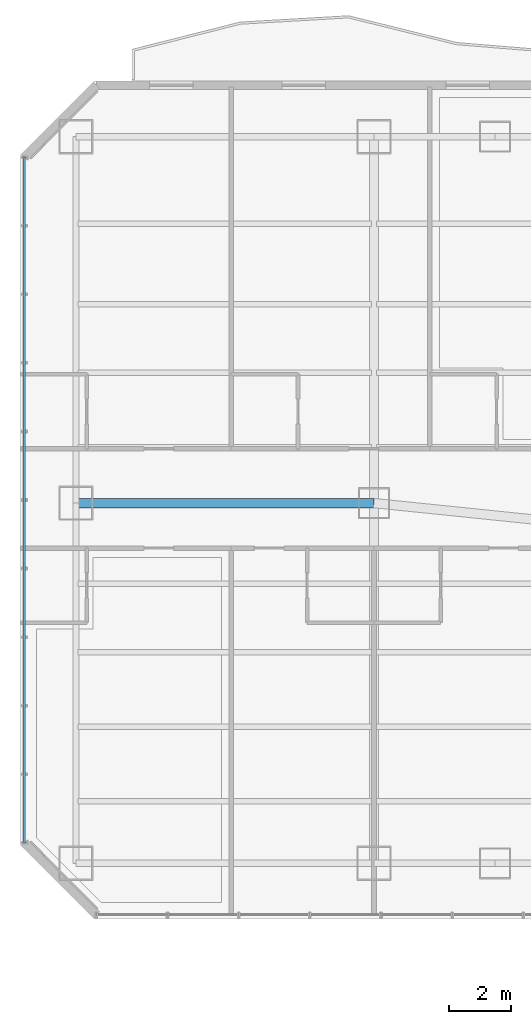
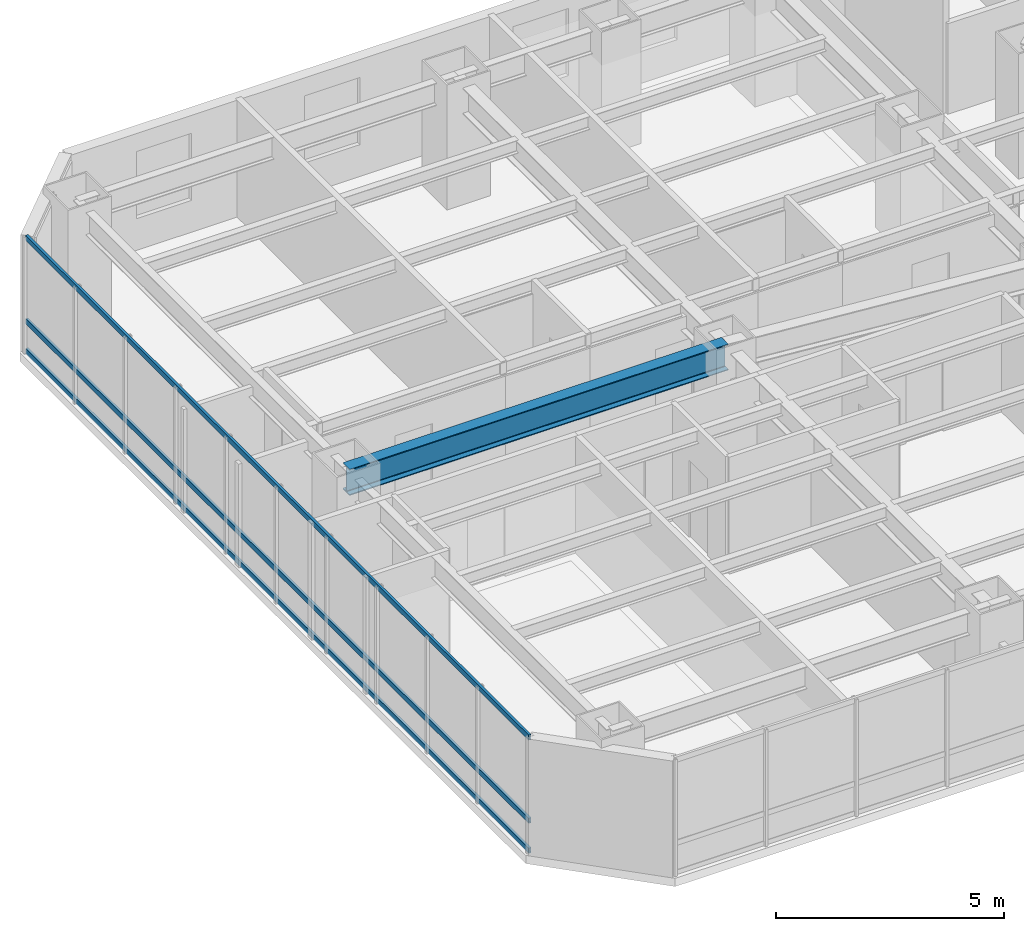
# One storey, part 19 of 38: 3 members, 1 beam, 1 element without a shape of its own.
"""IFC4 building model written with IfcOpenShell, lengths in metres."""

import ifcopenshell
import ifcopenshell.guid

model = None  # the IFC model being written
_history = None  # IfcOwnerHistory: only IFC2X3 demands one
_inside = {}  # id of a spatial element -> (the spatial element, [elements in it])
_under = {}  # id of a project, library or spatial element -> (it, [spatial elements below it])
_declared = {}  # id of a project -> (the project, [libraries it declares])
_typed = {}  # id of a type object -> (the type object, [elements of that type])
_made_of = {}  # id of a material, layer set ... -> (it, [elements and type objects made of it])


def new_model(schema):
    """Start an empty IFC model of exactly this schema.

    Asked for "IFC4X3", IfcOpenShell would pick the latest addendum, in which some entities
    have other attributes; the version numbers below select the first issue.
    IFC2X3 requires an IfcOwnerHistory on every rooted entity: one is made here for all.
    """
    global model, _history
    if schema == "IFC4X3":
        model = ifcopenshell.file(schema_version=(4, 3, 0, 0))
    else:
        model = ifcopenshell.file(schema=schema)
    _inside.clear()
    _under.clear()
    _declared.clear()
    _typed.clear()
    _made_of.clear()
    _history = None
    if model.schema == "IFC2X3":
        org = make("IfcOrganization", Name="unknown")
        user = make(
            "IfcPersonAndOrganization",
            ThePerson=make("IfcPerson", FamilyName="unknown"),
            TheOrganization=org,
        )
        app = make(
            "IfcApplication",
            ApplicationDeveloper=org,
            Version="unknown",
            ApplicationFullName="unknown",
            ApplicationIdentifier="unknown",
        )
        _history = make(
            "IfcOwnerHistory",
            OwningUser=user,
            OwningApplication=app,
            ChangeAction="ADDED",
            CreationDate=0,
        )
    return model


def make(cls, **values):
    """One entity of the class cls with the attributes given. An attribute that is None is left unset."""
    return model.create_entity(
        cls, **{name: value for name, value in values.items() if value is not None}
    )


def rooted(cls, **values):
    """An entity with a GlobalId (a new one), such as an element, a storey or a relation."""
    return make(cls, GlobalId=ifcopenshell.guid.new(), OwnerHistory=_history, **values)


def si_unit(unit_type, name, prefix=None):
    """IfcSIUnit, for example si_unit("LENGTHUNIT", "METRE", prefix="MILLI")."""
    return make("IfcSIUnit", UnitType=unit_type, Prefix=prefix, Name=name)


def assignment(units):
    """IfcUnitAssignment: the units of a project."""
    return None if units is None else make("IfcUnitAssignment", Units=units)


def point(xyz):
    """IfcCartesianPoint."""
    return None if xyz is None else make("IfcCartesianPoint", Coordinates=xyz)


def direction(xyz):
    """IfcDirection."""
    return None if xyz is None else make("IfcDirection", DirectionRatios=xyz)


def frame(location, z_axis=None, x_axis=None):
    """IfcAxis2Placement3D, a coordinate frame: its origin and axes. An axis left out is left unset."""
    return make(
        "IfcAxis2Placement3D",
        Location=point(location),
        Axis=direction(z_axis),
        RefDirection=direction(x_axis),
    )


def frame_2d(location, x_axis=None):
    """IfcAxis2Placement2D, a coordinate frame in the plane: its origin and x axis."""
    return make(
        "IfcAxis2Placement2D", Location=point(location), RefDirection=direction(x_axis)
    )


def origin():
    """The frame at (0, 0, 0) with its axes left unset."""
    return frame((0.0, 0.0, 0.0))


def origin_2d():
    """The frame at (0, 0) in the plane with its x axis left unset."""
    return frame_2d((0.0, 0.0))


def place(relative_to, where):
    """IfcLocalPlacement: puts the frame where relative to a parent placement (None: the world)."""
    return make(
        "IfcLocalPlacement", PlacementRelTo=relative_to, RelativePlacement=where
    )


def context(
    kind, dimensions, precision=None, world=None, true_north=None, identifier=None
):
    """IfcGeometricRepresentationContext, for example the 3D "Model" context."""
    return make(
        "IfcGeometricRepresentationContext",
        ContextIdentifier=identifier,
        ContextType=kind,
        CoordinateSpaceDimension=dimensions,
        Precision=precision,
        WorldCoordinateSystem=world,
        TrueNorth=true_north,
    )


def subcontext(parent, identifier, kind, view, scale=None):
    """IfcGeometricRepresentationSubContext, for example "Body" below "Model"."""
    return make(
        "IfcGeometricRepresentationSubContext",
        ContextIdentifier=identifier,
        ContextType=kind,
        ParentContext=parent,
        TargetScale=scale,
        TargetView=view,
    )


def project(units=None, contexts=None):
    """IfcProject with its units and contexts."""
    return rooted(
        "IfcProject",
        Name="project",
        RepresentationContexts=contexts,
        UnitsInContext=assignment(units),
    )


def spatial(cls, under=None, at=None, **own):
    """A site, building, storey or space (cls), placed at a placement, below another one or the project."""
    s = rooted(cls, ObjectPlacement=at, **own)
    if under is not None:
        _under.setdefault(under.id(), (under, []))[1].append(s)
    return s


def profile(cls, at=None, kind="AREA", **sizes):
    """A parametric profile (cls). Its sizes go by their IFC names, for example OverallWidth=200.0."""
    return make(cls, ProfileType=kind, Position=at, **sizes)


def hollow_rectangle(**sizes):
    """IfcRectangleHollowProfileDef."""
    return profile("IfcRectangleHollowProfileDef", **sizes)


def i_section(**sizes):
    """IfcIShapeProfileDef."""
    return profile("IfcIShapeProfileDef", **sizes)


def extrude(swept, where, along, depth):
    """IfcExtrudedAreaSolid: the profile swept, set in the frame where, extruded along a direction by depth."""
    return make(
        "IfcExtrudedAreaSolid",
        SweptArea=swept,
        Position=where,
        ExtrudedDirection=direction(along),
        Depth=depth,
    )


def shape(context_of_items, identifier, shape_type, items):
    """IfcShapeRepresentation: the items that make up one representation, for example the "Body"."""
    return make(
        "IfcShapeRepresentation",
        ContextOfItems=context_of_items,
        RepresentationIdentifier=identifier,
        RepresentationType=shape_type,
        Items=items,
    )


def material(Name=None, Category=None):
    """IfcMaterial."""
    return make("IfcMaterial", Name=Name, Category=Category)


def layer(
    of_material, thickness, ventilated=None, Name=None, Category=None, Priority=None
):
    """IfcMaterialLayer: one layer of a wall or slab, of a material (None: an air gap)."""
    return make(
        "IfcMaterialLayer",
        Material=of_material,
        LayerThickness=thickness,
        IsVentilated=ventilated,
        Name=Name,
        Category=Category,
        Priority=Priority,
    )


def layer_set(layers, Name=None):
    """IfcMaterialLayerSet."""
    return make("IfcMaterialLayerSet", MaterialLayers=layers, LayerSetName=Name)


def material_profile(
    of_material, cross_section, Name=None, Category=None, Priority=None
):
    """IfcMaterialProfile: a cross section and its material."""
    return make(
        "IfcMaterialProfile",
        Name=Name,
        Material=of_material,
        Profile=cross_section,
        Priority=Priority,
        Category=Category,
    )


def profile_set(profiles, Name=None, composite=None):
    """IfcMaterialProfileSet."""
    return make(
        "IfcMaterialProfileSet",
        Name=Name,
        MaterialProfiles=profiles,
        CompositeProfile=composite,
    )


def made_of(thing, what):
    """Note that an element or type object is made of a material, layer set ...; save() writes the relation."""
    if what is not None:
        _made_of.setdefault(what.id(), (what, []))[1].append(thing)
    return thing


def type_object(cls, material=None, **own):
    """A type object (cls), such as IfcWallType, which elements share."""
    return made_of(rooted(cls, **own), material)


def element(
    cls,
    number,
    at=None,
    inside=None,
    cuts=None,
    type_object=None,
    material=None,
    context=None,
    identifier="Body",
    shape_type=None,
    held_by="IfcProductDefinitionShape",
    body=None,
    shapes=None,
    **own,
):
    """One element of the class cls, such as IfcWall. Its Tag is "e" and its number.

    at: its placement. inside: the storey or other place that contains it. cuts: it is an
    opening in that element (IfcRelVoidsElement). A single representation is given by context,
    identifier, shape_type and body (its items); several are given by shapes. held_by: the class
    of the entity that holds the representations. save() writes the other relations.
    """
    e = rooted(cls, Tag="e%d" % number, ObjectPlacement=at, **own)
    if body is not None:
        shapes = [shape(context, identifier, shape_type, body)]
    if shapes is not None:
        e.Representation = make(held_by, Representations=shapes)
    if inside is not None:
        _inside.setdefault(inside.id(), (inside, []))[1].append(e)
    if cuts is not None:
        rooted(
            "IfcRelVoidsElement", RelatingBuildingElement=cuts, RelatedOpeningElement=e
        )
    if type_object is not None:
        _typed.setdefault(type_object.id(), (type_object, []))[1].append(e)
    return made_of(e, material)


def aggregate(whole, parts):
    """IfcRelAggregates: a whole, such as a stair, and the parts it consists of."""
    return rooted("IfcRelAggregates", RelatingObject=whole, RelatedObjects=parts)


def save(model, path):
    """Write the relations noted so far, then the file.

    IfcRelAggregates (storeys below a building ...), IfcRelContainedInSpatialStructure (elements
    in a storey), IfcRelDefinesByType, IfcRelAssociatesMaterial and IfcRelDeclares: one each for
    every whole, place, type object, material and project.
    """
    for whole, parts in _under.values():
        aggregate(whole, parts)
    for where, things in _inside.values():
        rooted(
            "IfcRelContainedInSpatialStructure",
            RelatedElements=things,
            RelatingStructure=where,
        )
    for kind, things in _typed.values():
        rooted("IfcRelDefinesByType", RelatedObjects=things, RelatingType=kind)
    for what, things in _made_of.values():
        rooted("IfcRelAssociatesMaterial", RelatedObjects=things, RelatingMaterial=what)
    for by, libraries in _declared.values():
        rooted("IfcRelDeclares", RelatingContext=by, RelatedDefinitions=libraries)
    model.write(path)


model = new_model("IFC4")

# Units and contexts
model_context = context("Model", 3, precision=1e-05, world=origin(), true_north=direction((0.0, 1.0)))
body_context = subcontext(model_context, "Body", "Model", "MODEL_VIEW")
ifc_project = project(units=[si_unit("LENGTHUNIT", "METRE"), si_unit("AREAUNIT", "SQUARE_METRE"), si_unit("VOLUMEUNIT", "CUBIC_METRE"), si_unit("PLANEANGLEUNIT", "RADIAN"), si_unit("MASSUNIT", "GRAM", prefix="KILO")], contexts=[model_context])

# Site, building, storey
site_placement = place(None, origin())
site = spatial("IfcSite", under=ifc_project, at=site_placement, CompositionType="ELEMENT")
building_placement = place(site_placement, origin())
building = spatial("IfcBuilding", under=site, at=building_placement, Name="Hatsunagi Terrace Concourse", CompositionType="ELEMENT")
storey_placement = place(building_placement, frame((0.0, 0.0, 63.39990234375)))
storey = spatial("IfcBuildingStorey", under=building, at=storey_placement, Name="L16", CompositionType="ELEMENT", Elevation=63.39990234375)

# Curtain wall, members
ifc_material_1 = material(Name="Anodised Aluminium Alloy 6063-T5", Category="aluminium")
ifc_layer = layer(ifc_material_1, 0.199951171875)
ifc_layer_set = layer_set([ifc_layer], Name="HotelFacade_CW02")
curtain_wall_type = type_object("IfcCurtainWallType", Name="HotelFacade_CW02", PredefinedType="NOTDEFINED", material=ifc_layer_set)
curtain_wall_placement = place(storey_placement, origin())
curtain_wall = element("IfcCurtainWall", 1, at=curtain_wall_placement, inside=storey, type_object=curtain_wall_type, Name="Unitised Curtain Wall CW-02 CW-L16-09", PredefinedType="NOTDEFINED")
ifc_material_2 = material(Name="Anodised Aluminium Alloy 6063-T5", Category="aluminium")
ifc_material_profile_1 = material_profile(ifc_material_2, hollow_rectangle(XDim=0.06494140625, YDim=0.139892578125, WallThickness=0.00390625, at=origin_2d()), Name="ALU-TRN-140x65x4")
ifc_profile_set_1 = profile_set([ifc_material_profile_1], Name="Anodised Aluminium Alloy 6063-T5")
member_type = type_object("IfcMemberType", Name="CurtainWallTransom_140x65", PredefinedType="USERDEFINED", material=ifc_profile_set_1)
member_1_placement = place(storey_placement, frame((0.139892578125, 25.85791015625, 0.050048828125), z_axis=(0.0, 1.0, 0.0), x_axis=(-1.0, 0.0, 0.0)))
member_1 = element("IfcMember", 2, at=member_1_placement, type_object=member_type, Name="Curtain Wall Transom TRN-02", ObjectType="TRANSOM", PredefinedType="USERDEFINED", context=body_context, shape_type="SweptSolid", body=[
    extrude(hollow_rectangle(XDim=0.06494140625, YDim=0.139892578125, WallThickness=0.00390625, at=origin_2d()), origin(), (0.0, 0.0, 1.0), 22.083984375),
])
member_2_placement = place(storey_placement, frame((0.139892578125, 25.85791015625, 0.85009765625), z_axis=(0.0, 1.0, 0.0), x_axis=(-1.0, 0.0, 0.0)))
member_2 = element("IfcMember", 3, at=member_2_placement, type_object=member_type, Name="Curtain Wall Transom TRN-02", ObjectType="TRANSOM", PredefinedType="USERDEFINED", context=body_context, shape_type="SweptSolid", body=[
    extrude(hollow_rectangle(XDim=0.06494140625, YDim=0.139892578125, WallThickness=0.00390625, at=origin_2d()), origin(), (0.0, 0.0, 1.0), 22.083984375),
])
member_3_placement = place(storey_placement, frame((0.139892578125, 25.85791015625, 3.080078125), z_axis=(0.0, 1.0, 0.0), x_axis=(-1.0, 0.0, 0.0)))
member_3 = element("IfcMember", 4, at=member_3_placement, type_object=member_type, Name="Curtain Wall Transom TRN-02", ObjectType="TRANSOM", PredefinedType="USERDEFINED", context=body_context, shape_type="SweptSolid", body=[
    extrude(hollow_rectangle(XDim=0.06494140625, YDim=0.139892578125, WallThickness=0.00390625, at=origin_2d()), origin(), (0.0, 0.0, 1.0), 22.083984375),
])
aggregate(curtain_wall, [member_1, member_2, member_3])

# Beam
ifc_material_3 = material(Name="Steel SN490B", Category="steel")
ifc_material_profile_2 = material_profile(ifc_material_3, i_section(OverallWidth=0.300048828125, OverallDepth=0.699951171875, WebThickness=0.012939453125, FlangeThickness=0.02392578125, FilletRadius=0.02197265625, at=origin_2d()), Name="H-700x300x13x24")
ifc_profile_set_2 = profile_set([ifc_material_profile_2], Name="Steel SN490B")
beam_type = type_object("IfcBeamType", Name="HotelFloorGirder_H_700x300", PredefinedType="BEAM", material=ifc_profile_set_2)
beam_placement = place(storey_placement, frame((1.800048828125, 36.800048828125, 2.780029296875), z_axis=(1.0, 0.0, 0.0), x_axis=(0.0, 1.0, 0.0)))
element("IfcBeam", 5, at=beam_placement, inside=storey, type_object=beam_type, Name="Beam G-04 BM-L16-EW-1", PredefinedType="BEAM", context=body_context, shape_type="SweptSolid", body=[
    extrude(i_section(OverallWidth=0.300048828125, OverallDepth=0.699951171875, WebThickness=0.012939453125, FlangeThickness=0.02392578125, FilletRadius=0.02197265625, at=origin_2d()), origin(), (0.0, 0.0, 1.0), 9.599853515625),
])

save(model, "model.ifc")
